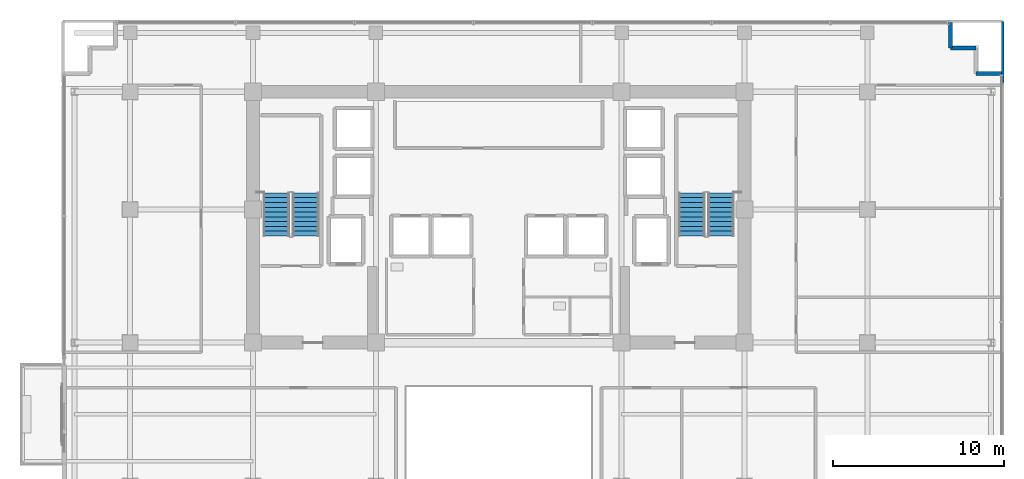
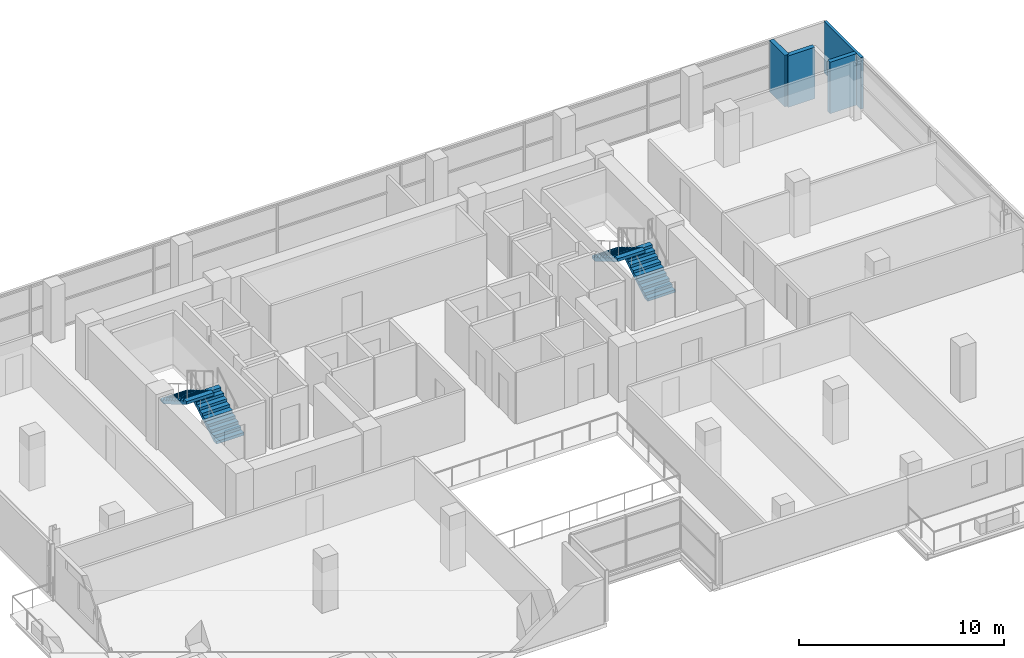
# One storey, part 18 of 23: 4 stair flights, 4 walls, 2 elements without a shape of their own.
"""IFC4 building model written with IfcOpenShell, lengths in metres."""

from ifc_helpers import new_model, si_unit, direction, frame, frame_2d, origin, place, context, subcontext, project, spatial, polyline, rectangle, outline, extrude, material, layer, layer_set, type_object, element, aggregate, save


model = new_model("IFC4")

# Units and contexts
model_context = context("Model", 3, precision=1e-05, world=origin(), true_north=direction((0.0, 1.0)))
body_context = subcontext(model_context, "Body", "Model", "MODEL_VIEW")
ifc_project = project(units=[si_unit("LENGTHUNIT", "METRE"), si_unit("AREAUNIT", "SQUARE_METRE"), si_unit("VOLUMEUNIT", "CUBIC_METRE"), si_unit("PLANEANGLEUNIT", "RADIAN"), si_unit("MASSUNIT", "GRAM", prefix="KILO")], contexts=[model_context])

# Site, building, storey
site_placement = place(None, origin())
site = spatial("IfcSite", under=ifc_project, at=site_placement, CompositionType="ELEMENT")
building_placement = place(site_placement, origin())
building = spatial("IfcBuilding", under=site, at=building_placement, Name="Zarnakvel Exchange Tower", CompositionType="ELEMENT")
storey_placement = place(building_placement, frame((0.0, 0.0, 129.699951171875)))
storey = spatial("IfcBuildingStorey", under=building, at=storey_placement, Name="L36", CompositionType="ELEMENT", Elevation=129.699951171875)

# Walls
ifc_material_1 = material(Name="Precast concrete C40/50", Category="concrete")
ifc_layer_1 = layer(ifc_material_1, 0.239990234375)
ifc_layer_set_1 = layer_set([ifc_layer_1], Name="Precast concrete C40/50")
wall_type_1 = type_object("IfcWallType", Name="EW-02", PredefinedType="SOLIDWALL", material=ifc_layer_set_1)
for number, where, z_axis, x_axis, name in (
    (1, (26.4599609375, 16.06005859375, 0.0), (0.0, 0.0, 1.0), (0.0, 1.0, 0.0), "L36 Exterior Precast Spandrel Wall EWC-L36-07 (EW-02)"),
    (2, (27.9599609375, 16.06005859375, 0.0), (0.0, 0.0, 1.0), (-1.0, 0.0, 0.0), "L36 Exterior Precast Spandrel Wall EWC-L36-08 (EW-02)"),
    (3, (29.4599609375, 14.56005859375, 0.0), (0.0, 0.0, 1.0), (-1.0, 0.0, 0.0), "L36 Exterior Precast Spandrel Wall EWC-L36-10 (EW-02)"),
):
    element("IfcWall", number, at=place(storey_placement, frame(where, z_axis=z_axis, x_axis=x_axis)), inside=storey, type_object=wall_type_1, Name=name, PredefinedType="SOLIDWALL", context=body_context, shape_type="SweptSolid", body=[
        extrude(rectangle(XDim=1.5, YDim=0.239990234375, at=frame_2d((0.75, 0.0))), origin(), (0.0, 0.0, 1.0), 3.074951171875),
    ])
ifc_material_2 = material(Name="Fire-Rated Gypsum Stud Partition", Category="gypsum")
ifc_layer_2 = layer(ifc_material_2, 0.14990234375)
ifc_layer_set_2 = layer_set([ifc_layer_2], Name="Fire-Rated Gypsum Stud Partition")
wall_type_2 = type_object("IfcWallType", Name="PT-01", PredefinedType="PARTITIONING", material=ifc_layer_set_2)
wall_placement = place(storey_placement, frame((29.530029296875, 17.6298828125, 0.0), z_axis=(0.0, 0.0, 1.0), x_axis=(0.0, -1.0, 0.0)))
element("IfcWall", 4, at=wall_placement, inside=storey, type_object=wall_type_2, Name="L36 Partition Wall PWALL-L36-055 (PT-01)", PredefinedType="PARTITIONING", context=body_context, shape_type="SweptSolid", body=[
    extrude(rectangle(XDim=3.599853515625, YDim=0.14990234375, at=frame_2d((1.7998046875, 0.0))), origin(), (0.0, 0.0, 1.0), 3.074951171875),
])

# Stair, stair flights
ifc_material_3 = material(Name="Concrete C40/50", Category="concrete")
stair_type = type_object("IfcStairType", Name="STR-01", PredefinedType="HALF_TURN_STAIR", material=ifc_material_3)
stair_1_placement = place(storey_placement, origin())
stair_1 = element("IfcStair", 5, at=stair_1_placement, inside=storey, type_object=stair_type, Name="L36 Protected Core Exit Stair ST-01", PredefinedType="HALF_TURN_STAIR")
stair_flight_type = type_object("IfcStairFlightType", Name="FLT-01", PredefinedType="STRAIGHT", material=ifc_material_3)
stair_flight_1_placement = place(storey_placement, frame((-11.31494140625, 5.050048828125, 0.0), z_axis=(0.0, 0.0, 1.0), x_axis=(0.0, 1.0, 0.0)))
stair_flight_1 = element("IfcStairFlight", 6, at=stair_flight_1_placement, type_object=stair_flight_type, Name="ST-01 flight 1", NumberOfRisers=10, NumberOfTreads=9, PredefinedType="STRAIGHT", RiserHeight=0.165, TreadLength=0.28, context=body_context, shape_type="SweptSolid", body=[
    extrude(outline(polyline([(0.0, 0.0), (0.0, 0.1650390625), (0.280029296875, 0.1650390625), (0.280029296875, 0.330078125), (0.56005859375, 0.330078125), (0.56005859375, 0.4951171875), (0.840087890625, 0.4951171875), (0.840087890625, 0.659912109375), (1.1201171875, 0.659912109375), (1.1201171875, 0.824951171875), (1.39990234375, 0.824951171875), (1.39990234375, 0.989990234375), (1.679931640625, 0.989990234375), (1.679931640625, 1.155029296875), (1.9599609375, 1.155029296875), (1.9599609375, 1.320068359375), (2.239990234375, 1.320068359375), (2.239990234375, 1.485107421875), (2.52001953125, 1.485107421875), (2.52001953125, 1.64990234375), (2.52001953125, 1.31103515625), (0.295166015625, 0.0), (0.0, 0.0)])), frame((0.0, 0.77490234375, 0.0), z_axis=(0.0, -1.0, 0.0), x_axis=(1.0, 0.0, 0.0)), (0.0, 0.0, 1.0), 1.550048828125),
])
stair_flight_2_placement = place(storey_placement, frame((-13.02490234375, 7.570068359375, 1.650146484375), z_axis=(0.0, 0.0, 1.0), x_axis=(0.0, -1.0, 0.0)))
stair_flight_2 = element("IfcStairFlight", 7, at=stair_flight_2_placement, type_object=stair_flight_type, Name="ST-01 flight 2", NumberOfRisers=10, NumberOfTreads=9, PredefinedType="STRAIGHT", RiserHeight=0.165, TreadLength=0.28, context=body_context, shape_type="SweptSolid", body=[
    extrude(outline(polyline([(0.0, 0.0), (0.0, 0.1650390625), (0.280029296875, 0.1650390625), (0.280029296875, 0.330078125), (0.56005859375, 0.330078125), (0.56005859375, 0.4951171875), (0.840087890625, 0.4951171875), (0.840087890625, 0.659912109375), (1.1201171875, 0.659912109375), (1.1201171875, 0.824951171875), (1.39990234375, 0.824951171875), (1.39990234375, 0.989990234375), (1.679931640625, 0.989990234375), (1.679931640625, 1.155029296875), (1.9599609375, 1.155029296875), (1.9599609375, 1.320068359375), (2.239990234375, 1.320068359375), (2.239990234375, 1.485107421875), (2.52001953125, 1.485107421875), (2.52001953125, 1.64990234375), (2.52001953125, 1.31103515625), (0.295166015625, 0.0), (0.0, 0.0)])), frame((0.0, 0.77490234375, 0.0), z_axis=(0.0, -1.0, 0.0), x_axis=(1.0, 0.0, 0.0)), (0.0, 0.0, 1.0), 1.550048828125),
])
aggregate(stair_1, [stair_flight_1, stair_flight_2])

stair_2_placement = place(storey_placement, origin())
stair_2 = element("IfcStair", 8, at=stair_2_placement, inside=storey, type_object=stair_type, Name="L36 Protected Core Exit Stair ST-02", PredefinedType="HALF_TURN_STAIR")
stair_flight_3_placement = place(storey_placement, frame((13.02490234375, 5.050048828125, 0.0), z_axis=(0.0, 0.0, 1.0), x_axis=(0.0, 1.0, 0.0)))
stair_flight_3 = element("IfcStairFlight", 9, at=stair_flight_3_placement, type_object=stair_flight_type, Name="ST-02 flight 1", NumberOfRisers=10, NumberOfTreads=9, PredefinedType="STRAIGHT", RiserHeight=0.165, TreadLength=0.28, context=body_context, shape_type="SweptSolid", body=[
    extrude(outline(polyline([(0.0, 0.0), (0.0, 0.1650390625), (0.280029296875, 0.1650390625), (0.280029296875, 0.330078125), (0.56005859375, 0.330078125), (0.56005859375, 0.4951171875), (0.840087890625, 0.4951171875), (0.840087890625, 0.659912109375), (1.1201171875, 0.659912109375), (1.1201171875, 0.824951171875), (1.39990234375, 0.824951171875), (1.39990234375, 0.989990234375), (1.679931640625, 0.989990234375), (1.679931640625, 1.155029296875), (1.9599609375, 1.155029296875), (1.9599609375, 1.320068359375), (2.239990234375, 1.320068359375), (2.239990234375, 1.485107421875), (2.52001953125, 1.485107421875), (2.52001953125, 1.64990234375), (2.52001953125, 1.31103515625), (0.295166015625, 0.0), (0.0, 0.0)])), frame((0.0, 0.77490234375, 0.0), z_axis=(0.0, -1.0, 0.0), x_axis=(1.0, 0.0, 0.0)), (0.0, 0.0, 1.0), 1.550048828125),
])
stair_flight_4_placement = place(storey_placement, frame((11.31494140625, 7.570068359375, 1.650146484375), z_axis=(0.0, 0.0, 1.0), x_axis=(0.0, -1.0, 0.0)))
stair_flight_4 = element("IfcStairFlight", 10, at=stair_flight_4_placement, type_object=stair_flight_type, Name="ST-02 flight 2", NumberOfRisers=10, NumberOfTreads=9, PredefinedType="STRAIGHT", RiserHeight=0.165, TreadLength=0.28, context=body_context, shape_type="SweptSolid", body=[
    extrude(outline(polyline([(0.0, 0.0), (0.0, 0.1650390625), (0.280029296875, 0.1650390625), (0.280029296875, 0.330078125), (0.56005859375, 0.330078125), (0.56005859375, 0.4951171875), (0.840087890625, 0.4951171875), (0.840087890625, 0.659912109375), (1.1201171875, 0.659912109375), (1.1201171875, 0.824951171875), (1.39990234375, 0.824951171875), (1.39990234375, 0.989990234375), (1.679931640625, 0.989990234375), (1.679931640625, 1.155029296875), (1.9599609375, 1.155029296875), (1.9599609375, 1.320068359375), (2.239990234375, 1.320068359375), (2.239990234375, 1.485107421875), (2.52001953125, 1.485107421875), (2.52001953125, 1.64990234375), (2.52001953125, 1.31103515625), (0.295166015625, 0.0), (0.0, 0.0)])), frame((0.0, 0.77490234375, 0.0), z_axis=(0.0, -1.0, 0.0), x_axis=(1.0, 0.0, 0.0)), (0.0, 0.0, 1.0), 1.550048828125),
])
aggregate(stair_2, [stair_flight_3, stair_flight_4])

save(model, "model.ifc")
